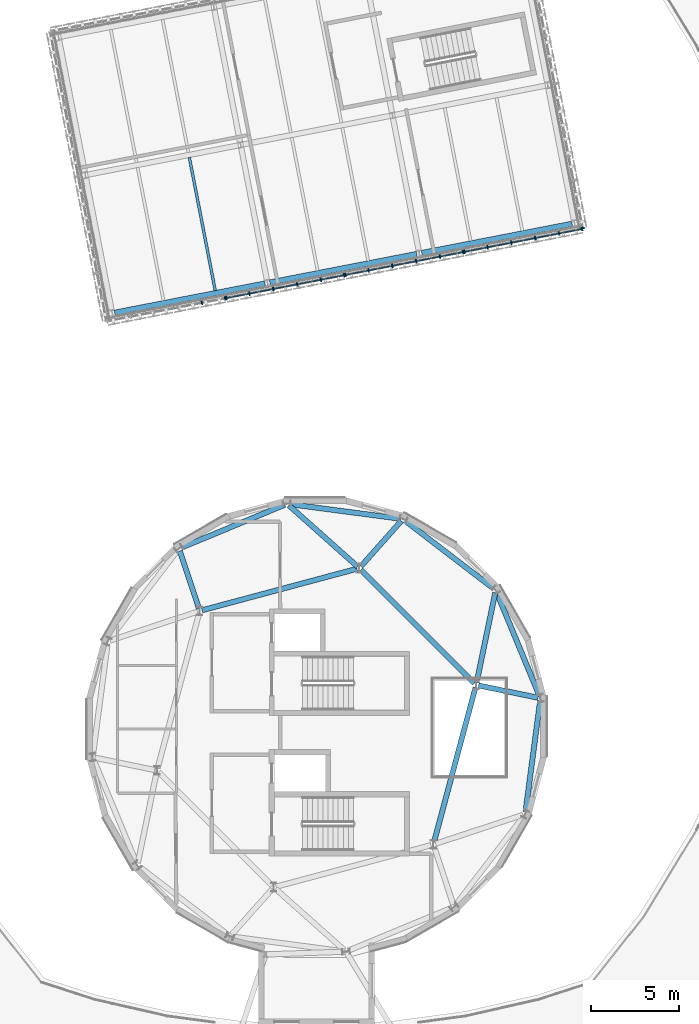
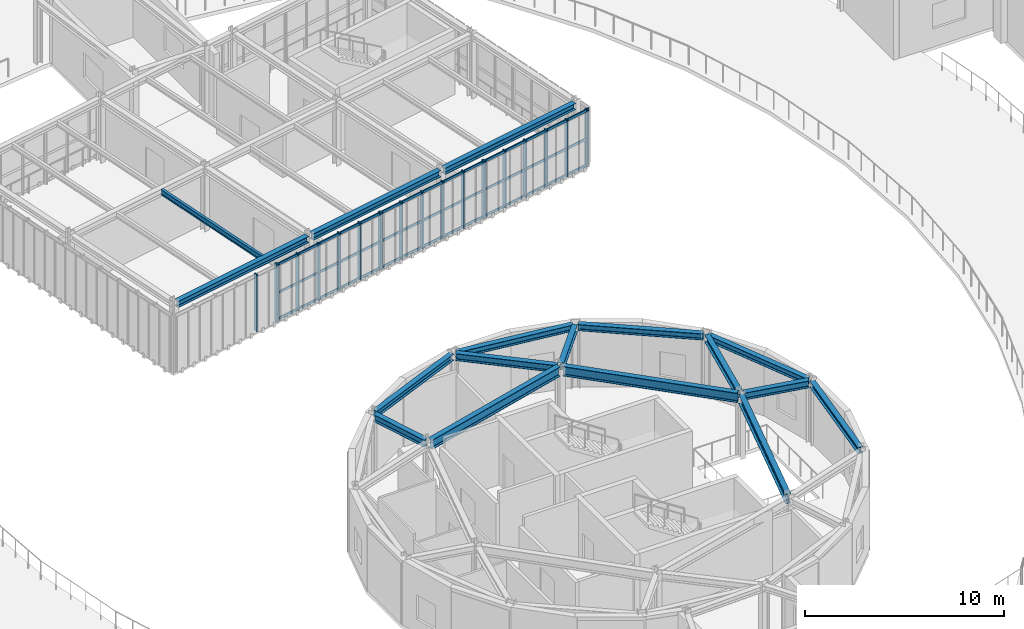
# One storey, part 19 of 59: 30 members, 17 beams, 5 elements without a shape of their own.
"""IFC4 building model written with IfcOpenShell, lengths in metres."""

from ifc_helpers import new_model, si_unit, direction, frame, origin, origin_2d, place, context, subcontext, project, spatial, rectangle, i_section, extrude, material, material_profile, profile_set, type_object, element, aggregate, save


model = new_model("IFC4")

# Units and contexts
model_context = context("Model", 3, precision=1e-05, world=origin(), true_north=direction((0.0, 1.0)))
body_context = subcontext(model_context, "Body", "Model", "MODEL_VIEW")
ifc_project = project(units=[si_unit("LENGTHUNIT", "METRE"), si_unit("AREAUNIT", "SQUARE_METRE"), si_unit("VOLUMEUNIT", "CUBIC_METRE"), si_unit("PLANEANGLEUNIT", "RADIAN"), si_unit("MASSUNIT", "GRAM", prefix="KILO")], contexts=[model_context])

# Site, building, storey
site_placement = place(None, origin())
site = spatial("IfcSite", under=ifc_project, at=site_placement, CompositionType="ELEMENT")
building_placement = place(site_placement, origin())
building = spatial("IfcBuilding", under=site, at=building_placement, Name="Varnklinge Art Gallery", CompositionType="ELEMENT")
storey_placement = place(building_placement, frame((0.0, 0.0, 9.52001953125)))
storey = spatial("IfcBuildingStorey", under=building, at=storey_placement, Name="L02", CompositionType="ELEMENT", Elevation=9.52001953125)

# Beams
ifc_material_1 = material(Name="Steel S355", Category="steel")
ifc_material_profile_1 = material_profile(ifc_material_1, i_section(OverallWidth=0.300048828125, OverallDepth=0.590087890625, WebThickness=0.012939453125, FlangeThickness=0.02490234375, FilletRadius=0.027099609375, at=origin_2d()), Name="HEA 600")
ifc_profile_set_1 = profile_set([ifc_material_profile_1], Name="Steel S355")
beam_type_1 = type_object("IfcBeamType", Name="BM-06", PredefinedType="BEAM", material=ifc_profile_set_1)
beam_1_placement = place(storey_placement, frame((84.480712890625, 41.031982421875, 3.6650390625), z_axis=(-0.707106781187, 0.707106781187, 0.0), x_axis=(-0.707106781187, -0.707106781187, 0.0)))
element("IfcBeam", 1, at=beam_1_placement, inside=storey, type_object=beam_type_1, Name="L02 BM-06 BM-V4D-L03-I1", PredefinedType="BEAM", context=body_context, shape_type="SweptSolid", body=[
    extrude(i_section(OverallWidth=0.300048828125, OverallDepth=0.590087890625, WebThickness=0.012939453125, FlangeThickness=0.02490234375, FilletRadius=0.027099609375, at=origin_2d()), origin(), (0.0, 0.0, 1.0), 9.119873046875),
])
for number, where, z_axis, x_axis, name in (
    (2, (77.797607421875, 47.54345703125, 3.6650390625), (-0.965928574877, -0.258808787016, 0.0), (0.258808787016, -0.965928574877, 0.0), "L02 BM-06 BM-V4D-L03-I2"),
    (3, (82.18310546875, 31.98828125, 3.6650390625), (0.258808787016, 0.965928574877, 0.0), (-0.965928574877, 0.258808787016, 0.0), "L02 BM-06 BM-V4D-L03-I6"),
):
    element("IfcBeam", number, at=place(storey_placement, frame(where, z_axis=z_axis, x_axis=x_axis)), inside=storey, type_object=beam_type_1, Name=name, PredefinedType="BEAM", context=body_context, shape_type="SweptSolid", body=[
        extrude(i_section(OverallWidth=0.300048828125, OverallDepth=0.590087890625, WebThickness=0.012939453125, FlangeThickness=0.02490234375, FilletRadius=0.027099609375, at=origin_2d()), origin(), (0.0, 0.0, 1.0), 9.1201171875),
    ])
ifc_material_2 = material(Name="Steel S355", Category="steel")
ifc_material_profile_2 = material_profile(ifc_material_2, i_section(OverallWidth=0.300048828125, OverallDepth=0.43994140625, WebThickness=0.011474609375, FlangeThickness=0.02099609375, FilletRadius=0.027099609375, at=origin_2d()), Name="HEA 450")
ifc_profile_set_2 = profile_set([ifc_material_profile_2], Name="Steel S355")
beam_type_2 = type_object("IfcBeamType", Name="BM-08", PredefinedType="BEAM", material=ifc_profile_set_2)
beam_2_placement = place(storey_placement, frame((84.716796875, 40.904541015625, 3.739990234375), z_axis=(0.979353549328, -0.202154953982, 0.0), x_axis=(0.202154953982, 0.979353549328, 0.0)))
element("IfcBeam", 4, at=beam_2_placement, inside=storey, type_object=beam_type_2, Name="L02 BM-08 BM-V4D-L03-R01", PredefinedType="BEAM", context=body_context, shape_type="SweptSolid", body=[
    extrude(i_section(OverallWidth=0.300048828125, OverallDepth=0.43994140625, WebThickness=0.011474609375, FlangeThickness=0.02099609375, FilletRadius=0.027099609375, at=origin_2d()), origin(), (0.0, 0.0, 1.0), 3.45751953125),
])
beam_3_placement = place(storey_placement, frame((84.608154296875, 41.070068359375, 3.739990234375), z_axis=(0.202556149381, 0.979270650202, 0.0), x_axis=(-0.979270650202, 0.202556149381, 0.0)))
element("IfcBeam", 5, at=beam_3_placement, inside=storey, type_object=beam_type_2, Name="L02 BM-08 BM-V4D-L03-R02", PredefinedType="BEAM", context=body_context, shape_type="SweptSolid", body=[
    extrude(i_section(OverallWidth=0.300048828125, OverallDepth=0.43994140625, WebThickness=0.011474609375, FlangeThickness=0.02099609375, FilletRadius=0.027099609375, at=origin_2d()), origin(), (0.0, 0.0, 1.0), 5.223876953125),
])
beam_4_placement = place(storey_placement, frame((78.02587890625, 47.684326171875, 3.739990234375), z_axis=(0.664780083084, 0.747039116201, 0.0), x_axis=(-0.747039116201, 0.664780083084, 0.0)))
element("IfcBeam", 6, at=beam_4_placement, inside=storey, type_object=beam_type_2, Name="L02 BM-08 BM-V4D-L03-R03", PredefinedType="BEAM", context=body_context, shape_type="SweptSolid", body=[
    extrude(i_section(OverallWidth=0.300048828125, OverallDepth=0.43994140625, WebThickness=0.011474609375, FlangeThickness=0.02099609375, FilletRadius=0.027099609375, at=origin_2d()), origin(), (0.0, 0.0, 1.0), 3.457763671875),
])
beam_5_placement = place(storey_placement, frame((77.828369140625, 47.6728515625, 3.739990234375), z_axis=(-0.746795307155, 0.665053959623, 0.0), x_axis=(-0.665053959623, -0.746795307155, 0.0)))
element("IfcBeam", 7, at=beam_5_placement, inside=storey, type_object=beam_type_2, Name="L02 BM-08 BM-V4D-L03-R04", PredefinedType="BEAM", context=body_context, shape_type="SweptSolid", body=[
    extrude(i_section(OverallWidth=0.300048828125, OverallDepth=0.43994140625, WebThickness=0.011474609375, FlangeThickness=0.02099609375, FilletRadius=0.027099609375, at=origin_2d()), origin(), (0.0, 0.0, 1.0), 5.223876953125),
])
beam_6_placement = place(storey_placement, frame((68.80908203125, 45.27978515625, 3.739990234375), z_axis=(-0.314574973389, 0.949232630137, 0.0), x_axis=(-0.949232630137, -0.314574973389, 0.0)))
element("IfcBeam", 8, at=beam_6_placement, inside=storey, type_object=beam_type_2, Name="L02 BM-08 BM-V4D-L03-R05", PredefinedType="BEAM", context=body_context, shape_type="SweptSolid", body=[
    extrude(i_section(OverallWidth=0.300048828125, OverallDepth=0.43994140625, WebThickness=0.011474609375, FlangeThickness=0.02099609375, FilletRadius=0.027099609375, at=origin_2d()), origin(), (0.0, 0.0, 1.0), 3.45751953125),
])
ifc_material_3 = material(Name="Steel S355", Category="steel")
ifc_material_profile_3 = material_profile(ifc_material_3, i_section(OverallWidth=0.159912109375, OverallDepth=0.330078125, WebThickness=0.007568359375, FlangeThickness=0.011474609375, FilletRadius=0.01806640625, at=origin_2d()), Name="IPE 330")
ifc_profile_set_3 = profile_set([ifc_material_profile_3], Name="Steel S355")
beam_type_3 = type_object("IfcBeamType", Name="JST-07", PredefinedType="JOIST", material=ifc_profile_set_3)
beam_7_placement = place(storey_placement, frame((69.735595703125, 63.372314453125, 3.794921875), z_axis=(-0.190785861445, 0.981631679946, 0.0), x_axis=(-0.981631679946, -0.190785861445, 0.0)))
element("IfcBeam", 9, at=beam_7_placement, inside=storey, type_object=beam_type_3, Name="L02 JST-07 JST-V4B-L03-0-0-2", PredefinedType="JOIST", context=body_context, shape_type="SweptSolid", body=[
    extrude(i_section(OverallWidth=0.159912109375, OverallDepth=0.330078125, WebThickness=0.007568359375, FlangeThickness=0.011474609375, FilletRadius=0.01806640625, at=origin_2d()), origin(), (0.0, 0.0, 1.0), 7.72021484375),
])

# Curtain wall, members
ifc_material_4 = material(Name="Anodised Aluminium", Category="aluminium")
curtain_wall_type_1 = type_object("IfcCurtainWallType", Name="CW-L03", PredefinedType="USERDEFINED", material=ifc_material_4)
curtain_wall_1_placement = place(storey_placement, origin())
curtain_wall_1 = element("IfcCurtainWall", 10, at=curtain_wall_1_placement, inside=storey, type_object=curtain_wall_type_1, Name="L02 Curtain Wall CW-V4B-L02-1-1-1", ObjectType="UNITISED CURTAIN WALL", PredefinedType="USERDEFINED")
ifc_material_5 = material(Name="Anodised Aluminium", Category="aluminium")
ifc_material_profile_4 = material_profile(ifc_material_5, rectangle(XDim=0.074951171875, YDim=0.219970703125, at=origin_2d()), Name="ALU 75x220")
ifc_profile_set_4 = profile_set([ifc_material_profile_4], Name="Anodised Aluminium")
member_type_1 = type_object("IfcMemberType", Name="MUL-02", PredefinedType="MULLION", material=ifc_profile_set_4)
member_1_placement = place(storey_placement, frame((68.974853515625, 62.674560546875, 0.0), z_axis=(0.0, 0.0, 1.0), x_axis=(0.981627183448, 0.190808995377, 0.0)))
member_1 = element("IfcMember", 11, at=member_1_placement, type_object=member_type_1, Name="CW-V4B-L02-1-1-1 Mullion 5", PredefinedType="MULLION", context=body_context, shape_type="SweptSolid", body=[
    extrude(rectangle(XDim=0.074951171875, YDim=0.219970703125, at=origin_2d()), origin(), (0.0, 0.0, 1.0), 3.510009765625),
])
member_2_placement = place(storey_placement, frame((70.292724609375, 62.9306640625, 0.0), z_axis=(0.0, 0.0, 1.0), x_axis=(0.981627183448, 0.190808995377, 0.0)))
member_2 = element("IfcMember", 12, at=member_2_placement, type_object=member_type_1, Name="CW-V4B-L02-1-1-1 Mullion 6", PredefinedType="MULLION", context=body_context, shape_type="SweptSolid", body=[
    extrude(rectangle(XDim=0.074951171875, YDim=0.219970703125, at=origin_2d()), origin(), (0.0, 0.0, 1.0), 3.510009765625),
])
aggregate(curtain_wall_1, [member_1, member_2])

curtain_wall_2_placement = place(storey_placement, origin())
curtain_wall_2 = element("IfcCurtainWall", 13, at=curtain_wall_2_placement, inside=storey, type_object=curtain_wall_type_1, Name="L02 Curtain Wall CW-V4B-L02-1-1-2", ObjectType="UNITISED CURTAIN WALL", PredefinedType="USERDEFINED")
member_3_placement = place(storey_placement, frame((70.3662109375, 62.945068359375, 0.0), z_axis=(0.0, 0.0, 1.0), x_axis=(0.981627183448, 0.190808995377, 0.0)))
member_3 = element("IfcMember", 14, at=member_3_placement, type_object=member_type_1, Name="CW-V4B-L02-1-1-2 Mullion 1", PredefinedType="MULLION", context=body_context, shape_type="SweptSolid", body=[
    extrude(rectangle(XDim=0.074951171875, YDim=0.219970703125, at=origin_2d()), origin(), (0.0, 0.0, 1.0), 3.510009765625),
])
member_4_placement = place(storey_placement, frame((71.68408203125, 63.201171875, 0.0), z_axis=(0.0, 0.0, 1.0), x_axis=(0.981627183448, 0.190808995377, 0.0)))
member_4 = element("IfcMember", 15, at=member_4_placement, type_object=member_type_1, Name="CW-V4B-L02-1-1-2 Mullion 2", PredefinedType="MULLION", context=body_context, shape_type="SweptSolid", body=[
    extrude(rectangle(XDim=0.074951171875, YDim=0.219970703125, at=origin_2d()), origin(), (0.0, 0.0, 1.0), 3.510009765625),
])
member_5_placement = place(storey_placement, frame((73.038818359375, 63.46435546875, 0.0), z_axis=(0.0, 0.0, 1.0), x_axis=(0.981627183448, 0.190808995377, 0.0)))
member_5 = element("IfcMember", 16, at=member_5_placement, type_object=member_type_1, Name="CW-V4B-L02-1-1-2 Mullion 3", PredefinedType="MULLION", context=body_context, shape_type="SweptSolid", body=[
    extrude(rectangle(XDim=0.074951171875, YDim=0.219970703125, at=origin_2d()), origin(), (0.0, 0.0, 1.0), 3.510009765625),
])
member_6_placement = place(storey_placement, frame((74.3935546875, 63.727783203125, 0.0), z_axis=(0.0, 0.0, 1.0), x_axis=(0.981627183448, 0.190808995377, 0.0)))
member_6 = element("IfcMember", 17, at=member_6_placement, type_object=member_type_1, Name="CW-V4B-L02-1-1-2 Mullion 4", PredefinedType="MULLION", context=body_context, shape_type="SweptSolid", body=[
    extrude(rectangle(XDim=0.074951171875, YDim=0.219970703125, at=origin_2d()), origin(), (0.0, 0.0, 1.0), 3.510009765625),
])
member_7_placement = place(storey_placement, frame((75.748046875, 63.9912109375, 0.0), z_axis=(0.0, 0.0, 1.0), x_axis=(0.981627183448, 0.190808995377, 0.0)))
member_7 = element("IfcMember", 18, at=member_7_placement, type_object=member_type_1, Name="CW-V4B-L02-1-1-2 Mullion 5", PredefinedType="MULLION", context=body_context, shape_type="SweptSolid", body=[
    extrude(rectangle(XDim=0.074951171875, YDim=0.219970703125, at=origin_2d()), origin(), (0.0, 0.0, 1.0), 3.510009765625),
])
member_8_placement = place(storey_placement, frame((77.06591796875, 64.247314453125, 0.0), z_axis=(0.0, 0.0, 1.0), x_axis=(0.981627183448, 0.190808995377, 0.0)))
member_8 = element("IfcMember", 19, at=member_8_placement, type_object=member_type_1, Name="CW-V4B-L02-1-1-2 Mullion 6", PredefinedType="MULLION", context=body_context, shape_type="SweptSolid", body=[
    extrude(rectangle(XDim=0.074951171875, YDim=0.219970703125, at=origin_2d()), origin(), (0.0, 0.0, 1.0), 3.510009765625),
])

curtain_wall_3_placement = place(storey_placement, origin())
curtain_wall_3 = element("IfcCurtainWall", 20, at=curtain_wall_3_placement, inside=storey, type_object=curtain_wall_type_1, Name="L02 Curtain Wall CW-V4B-L02-1-1-3", ObjectType="UNITISED CURTAIN WALL", PredefinedType="USERDEFINED")
member_9_placement = place(storey_placement, frame((77.1396484375, 64.26171875, 0.0), z_axis=(0.0, 0.0, 1.0), x_axis=(0.981627183448, 0.190808995377, 0.0)))
member_9 = element("IfcMember", 21, at=member_9_placement, type_object=member_type_1, Name="CW-V4B-L02-1-1-3 Mullion 1", PredefinedType="MULLION", context=body_context, shape_type="SweptSolid", body=[
    extrude(rectangle(XDim=0.074951171875, YDim=0.219970703125, at=origin_2d()), origin(), (0.0, 0.0, 1.0), 3.510009765625),
])
member_10_placement = place(storey_placement, frame((78.45751953125, 64.517578125, 0.0), z_axis=(0.0, 0.0, 1.0), x_axis=(0.981627183448, 0.190808995377, 0.0)))
member_10 = element("IfcMember", 22, at=member_10_placement, type_object=member_type_1, Name="CW-V4B-L02-1-1-3 Mullion 2", PredefinedType="MULLION", context=body_context, shape_type="SweptSolid", body=[
    extrude(rectangle(XDim=0.074951171875, YDim=0.219970703125, at=origin_2d()), origin(), (0.0, 0.0, 1.0), 3.510009765625),
])
member_11_placement = place(storey_placement, frame((79.81201171875, 64.781005859375, 0.0), z_axis=(0.0, 0.0, 1.0), x_axis=(0.981627183448, 0.190808995377, 0.0)))
member_11 = element("IfcMember", 23, at=member_11_placement, type_object=member_type_1, Name="CW-V4B-L02-1-1-3 Mullion 3", PredefinedType="MULLION", context=body_context, shape_type="SweptSolid", body=[
    extrude(rectangle(XDim=0.074951171875, YDim=0.219970703125, at=origin_2d()), origin(), (0.0, 0.0, 1.0), 3.510009765625),
])
member_12_placement = place(storey_placement, frame((81.166748046875, 65.044189453125, 0.0), z_axis=(0.0, 0.0, 1.0), x_axis=(0.981627183448, 0.190808995377, 0.0)))
member_12 = element("IfcMember", 24, at=member_12_placement, type_object=member_type_1, Name="CW-V4B-L02-1-1-3 Mullion 4", PredefinedType="MULLION", context=body_context, shape_type="SweptSolid", body=[
    extrude(rectangle(XDim=0.074951171875, YDim=0.219970703125, at=origin_2d()), origin(), (0.0, 0.0, 1.0), 3.510009765625),
])
member_13_placement = place(storey_placement, frame((82.521484375, 65.3076171875, 0.0), z_axis=(0.0, 0.0, 1.0), x_axis=(0.981627183448, 0.190808995377, 0.0)))
member_13 = element("IfcMember", 25, at=member_13_placement, type_object=member_type_1, Name="CW-V4B-L02-1-1-3 Mullion 5", PredefinedType="MULLION", context=body_context, shape_type="SweptSolid", body=[
    extrude(rectangle(XDim=0.074951171875, YDim=0.219970703125, at=origin_2d()), origin(), (0.0, 0.0, 1.0), 3.510009765625),
])
member_14_placement = place(storey_placement, frame((83.839111328125, 65.563720703125, 0.0), z_axis=(0.0, 0.0, 1.0), x_axis=(0.981627183448, 0.190808995377, 0.0)))
member_14 = element("IfcMember", 26, at=member_14_placement, type_object=member_type_1, Name="CW-V4B-L02-1-1-3 Mullion 6", PredefinedType="MULLION", context=body_context, shape_type="SweptSolid", body=[
    extrude(rectangle(XDim=0.074951171875, YDim=0.219970703125, at=origin_2d()), origin(), (0.0, 0.0, 1.0), 3.510009765625),
])

curtain_wall_4_placement = place(storey_placement, origin())
curtain_wall_4 = element("IfcCurtainWall", 27, at=curtain_wall_4_placement, inside=storey, type_object=curtain_wall_type_1, Name="L02 Curtain Wall CW-V4B-L02-1-1-4", ObjectType="UNITISED CURTAIN WALL", PredefinedType="USERDEFINED")
member_15_placement = place(storey_placement, frame((83.912841796875, 65.578125, 0.0), z_axis=(0.0, 0.0, 1.0), x_axis=(0.981627183448, 0.190808995377, 0.0)))
member_15 = element("IfcMember", 28, at=member_15_placement, type_object=member_type_1, Name="CW-V4B-L02-1-1-4 Mullion 1", PredefinedType="MULLION", context=body_context, shape_type="SweptSolid", body=[
    extrude(rectangle(XDim=0.074951171875, YDim=0.219970703125, at=origin_2d()), origin(), (0.0, 0.0, 1.0), 3.510009765625),
])
member_16_placement = place(storey_placement, frame((85.230712890625, 65.834228515625, 0.0), z_axis=(0.0, 0.0, 1.0), x_axis=(0.981627183448, 0.190808995377, 0.0)))
member_16 = element("IfcMember", 29, at=member_16_placement, type_object=member_type_1, Name="CW-V4B-L02-1-1-4 Mullion 2", PredefinedType="MULLION", context=body_context, shape_type="SweptSolid", body=[
    extrude(rectangle(XDim=0.074951171875, YDim=0.219970703125, at=origin_2d()), origin(), (0.0, 0.0, 1.0), 3.510009765625),
])
member_17_placement = place(storey_placement, frame((86.585205078125, 66.097412109375, 0.0), z_axis=(0.0, 0.0, 1.0), x_axis=(0.981627183448, 0.190808995377, 0.0)))
member_17 = element("IfcMember", 30, at=member_17_placement, type_object=member_type_1, Name="CW-V4B-L02-1-1-4 Mullion 3", PredefinedType="MULLION", context=body_context, shape_type="SweptSolid", body=[
    extrude(rectangle(XDim=0.074951171875, YDim=0.219970703125, at=origin_2d()), origin(), (0.0, 0.0, 1.0), 3.510009765625),
])
member_18_placement = place(storey_placement, frame((87.93994140625, 66.36083984375, 0.0), z_axis=(0.0, 0.0, 1.0), x_axis=(0.981627183448, 0.190808995377, 0.0)))
member_18 = element("IfcMember", 31, at=member_18_placement, type_object=member_type_1, Name="CW-V4B-L02-1-1-4 Mullion 4", PredefinedType="MULLION", context=body_context, shape_type="SweptSolid", body=[
    extrude(rectangle(XDim=0.074951171875, YDim=0.219970703125, at=origin_2d()), origin(), (0.0, 0.0, 1.0), 3.510009765625),
])
member_19_placement = place(storey_placement, frame((89.294677734375, 66.624267578125, 0.0), z_axis=(0.0, 0.0, 1.0), x_axis=(0.981627183448, 0.190808995377, 0.0)))
member_19 = element("IfcMember", 32, at=member_19_placement, type_object=member_type_1, Name="CW-V4B-L02-1-1-4 Mullion 5", PredefinedType="MULLION", context=body_context, shape_type="SweptSolid", body=[
    extrude(rectangle(XDim=0.074951171875, YDim=0.219970703125, at=origin_2d()), origin(), (0.0, 0.0, 1.0), 3.510009765625),
])
member_20_placement = place(storey_placement, frame((90.612548828125, 66.88037109375, 0.0), z_axis=(0.0, 0.0, 1.0), x_axis=(0.981627183448, 0.190808995377, 0.0)))
member_20 = element("IfcMember", 33, at=member_20_placement, type_object=member_type_1, Name="CW-V4B-L02-1-1-4 Mullion 6", PredefinedType="MULLION", context=body_context, shape_type="SweptSolid", body=[
    extrude(rectangle(XDim=0.074951171875, YDim=0.219970703125, at=origin_2d()), origin(), (0.0, 0.0, 1.0), 3.510009765625),
])

# Curtain wall, member
ifc_material_6 = material(Name="Anodised Aluminium", Category="aluminium")
curtain_wall_type_2 = type_object("IfcCurtainWallType", Name="CW-L07", PredefinedType="USERDEFINED", material=ifc_material_6)
curtain_wall_5_placement = place(storey_placement, origin())
curtain_wall_5 = element("IfcCurtainWall", 34, at=curtain_wall_5_placement, inside=storey, type_object=curtain_wall_type_2, Name="L02 Curtain Wall CW-V4B-L02-2-1-1", ObjectType="UNITISED CURTAIN WALL", PredefinedType="USERDEFINED")
member_21_placement = place(storey_placement, frame((90.64208984375, 66.92431640625, 0.0), z_axis=(0.0, 0.0, 1.0), x_axis=(-0.190808995377, 0.981627183448, 0.0)))
member_21 = element("IfcMember", 35, at=member_21_placement, type_object=member_type_1, Name="CW-V4B-L02-2-1-1 Mullion 1", PredefinedType="MULLION", context=body_context, shape_type="SweptSolid", body=[
    extrude(rectangle(XDim=0.074951171875, YDim=0.219970703125, at=origin_2d()), origin(), (0.0, 0.0, 1.0), 3.510009765625),
])
aggregate(curtain_wall_5, [member_21])

# Beams
ifc_material_7 = material(Name="Steel S355", Category="steel")
ifc_material_profile_5 = material_profile(ifc_material_7, i_section(OverallWidth=0.300048828125, OverallDepth=0.389892578125, WebThickness=0.010986328125, FlangeThickness=0.01904296875, FilletRadius=0.027099609375, at=origin_2d()), Name="HEA 400")
ifc_profile_set_5 = profile_set([ifc_material_profile_5], Name="Steel S355")
beam_type_4 = type_object("IfcBeamType", Name="SPB-03", PredefinedType="SPANDREL", material=ifc_profile_set_5)
for number, where, z_axis, x_axis, name in (
    (36, (88.1865234375, 40.306640625, 3.764892578125), (-0.382666510137, 0.923886541746, 0.0), (-0.923886541746, -0.382666510137, 0.0), "L02 SPB-03 BM-V4D-L03-P01"),
    (37, (85.58349609375, 46.40771484375, 3.764892578125), (-0.793344185287, 0.608773359857, 0.0), (-0.608773359857, -0.793344185287, 0.0), "L02 SPB-03 BM-V4D-L03-P02"),
):
    element("IfcBeam", number, at=place(storey_placement, frame(where, z_axis=z_axis, x_axis=x_axis)), inside=storey, type_object=beam_type_4, Name=name, PredefinedType="SPANDREL", context=body_context, shape_type="SweptSolid", body=[
        extrude(i_section(OverallWidth=0.300048828125, OverallDepth=0.389892578125, WebThickness=0.010986328125, FlangeThickness=0.01904296875, FilletRadius=0.027099609375, at=origin_2d()), origin(), (0.0, 0.0, 1.0), 6.37158203125),
    ])
beam_8_placement = place(storey_placement, frame((80.27880859375, 50.39013671875, 3.764892578125), z_axis=(-0.991448034575, 0.130502087099, 0.0), x_axis=(-0.130502087099, -0.991448034575, 0.0)))
element("IfcBeam", 38, at=beam_8_placement, inside=storey, type_object=beam_type_4, Name="L02 SPB-03 BM-V4D-L03-P03", PredefinedType="SPANDREL", context=body_context, shape_type="SweptSolid", body=[
    extrude(i_section(OverallWidth=0.300048828125, OverallDepth=0.389892578125, WebThickness=0.010986328125, FlangeThickness=0.01904296875, FilletRadius=0.027099609375, at=origin_2d()), origin(), (0.0, 0.0, 1.0), 6.371826171875),
])
beam_9_placement = place(storey_placement, frame((73.693359375, 51.1865234375, 3.764892578125), z_axis=(-0.923886541746, -0.382666510137, 0.0), x_axis=(0.382666510137, -0.923886541746, 0.0)))
element("IfcBeam", 39, at=beam_9_placement, inside=storey, type_object=beam_type_4, Name="L02 SPB-03 BM-V4D-L03-P04", PredefinedType="SPANDREL", context=body_context, shape_type="SweptSolid", body=[
    extrude(i_section(OverallWidth=0.300048828125, OverallDepth=0.389892578125, WebThickness=0.010986328125, FlangeThickness=0.01904296875, FilletRadius=0.027099609375, at=origin_2d()), origin(), (0.0, 0.0, 1.0), 6.37158203125),
])
beam_10_placement = place(storey_placement, frame((87.39013671875, 33.72119140625, 3.764892578125), z_axis=(0.130502087099, 0.991448034575, 0.0), x_axis=(-0.991448034575, 0.130502087099, 0.0)))
element("IfcBeam", 40, at=beam_10_placement, inside=storey, type_object=beam_type_4, Name="L02 SPB-03 BM-V4D-L03-P12", PredefinedType="SPANDREL", context=body_context, shape_type="SweptSolid", body=[
    extrude(i_section(OverallWidth=0.300048828125, OverallDepth=0.389892578125, WebThickness=0.010986328125, FlangeThickness=0.01904296875, FilletRadius=0.027099609375, at=origin_2d()), origin(), (0.0, 0.0, 1.0), 6.371826171875),
])
beam_11_placement = place(storey_placement, frame((64.010009765625, 62.11669921875, 3.764892578125), z_axis=(0.98162282025, 0.190831440713, 0.0), x_axis=(-0.190831440713, 0.98162282025, 0.0)))
element("IfcBeam", 41, at=beam_11_placement, inside=storey, type_object=beam_type_4, Name="L02 SPB-03 BM-V4B-L03-U0-0", PredefinedType="SPANDREL", context=body_context, shape_type="SweptSolid", body=[
    extrude(i_section(OverallWidth=0.300048828125, OverallDepth=0.389892578125, WebThickness=0.010986328125, FlangeThickness=0.01904296875, FilletRadius=0.027099609375, at=origin_2d()), origin(), (0.0, 0.0, 1.0), 8.719970703125),
])
beam_12_placement = place(storey_placement, frame((72.8447265625, 63.833984375, 3.764892578125), z_axis=(0.981626572932, 0.190812136181, 0.0), x_axis=(-0.190812136181, 0.981626572932, 0.0)))
element("IfcBeam", 42, at=beam_12_placement, inside=storey, type_object=beam_type_4, Name="L02 SPB-03 BM-V4B-L03-U0-1", PredefinedType="SPANDREL", context=body_context, shape_type="SweptSolid", body=[
    extrude(i_section(OverallWidth=0.300048828125, OverallDepth=0.389892578125, WebThickness=0.010986328125, FlangeThickness=0.01904296875, FilletRadius=0.027099609375, at=origin_2d()), origin(), (0.0, 0.0, 1.0), 8.52001953125),
])
beam_13_placement = place(storey_placement, frame((81.48291015625, 65.51318359375, 3.764892578125), z_axis=(0.981629083791, 0.190799218699, 0.0), x_axis=(-0.190799218699, 0.981629083791, 0.0)))
element("IfcBeam", 43, at=beam_13_placement, inside=storey, type_object=beam_type_4, Name="L02 SPB-03 BM-V4B-L03-U0-2", PredefinedType="SPANDREL", context=body_context, shape_type="SweptSolid", body=[
    extrude(i_section(OverallWidth=0.300048828125, OverallDepth=0.389892578125, WebThickness=0.010986328125, FlangeThickness=0.01904296875, FilletRadius=0.027099609375, at=origin_2d()), origin(), (0.0, 0.0, 1.0), 8.72021484375),
])

# Member
ifc_material_8 = material(Name="Anodised Aluminium", Category="aluminium")
ifc_material_profile_6 = material_profile(ifc_material_8, rectangle(XDim=0.06494140625, YDim=0.14990234375, at=origin_2d()), Name="ALU 65x150")
ifc_profile_set_6 = profile_set([ifc_material_profile_6], Name="Anodised Aluminium")
member_type_2 = type_object("IfcMemberType", Name="TRN-01", PredefinedType="USERDEFINED", material=ifc_profile_set_6)
member_22_placement = place(storey_placement, frame((70.3662109375, 62.945068359375, 0.074951171875), z_axis=(0.981628419203, 0.190802637855, 0.0), x_axis=(-0.190802637855, 0.981628419203, 0.0)))
member_22 = element("IfcMember", 44, at=member_22_placement, type_object=member_type_2, Name="CW-V4B-L02-1-1-2 Transom 1", ObjectType="TRANSOM", PredefinedType="USERDEFINED", context=body_context, shape_type="SweptSolid", body=[
    extrude(rectangle(XDim=0.06494140625, YDim=0.14990234375, at=origin_2d()), origin(), (0.0, 0.0, 1.0), 6.8251953125),
])

member_23_placement = place(storey_placement, frame((70.3662109375, 62.945068359375, 1.684814453125), z_axis=(0.981628419203, 0.190802637855, 0.0), x_axis=(-0.190802637855, 0.981628419203, 0.0)))
member_23 = element("IfcMember", 45, at=member_23_placement, type_object=member_type_2, Name="CW-V4B-L02-1-1-2 Transom 2", ObjectType="TRANSOM", PredefinedType="USERDEFINED", context=body_context, shape_type="SweptSolid", body=[
    extrude(rectangle(XDim=0.06494140625, YDim=0.14990234375, at=origin_2d()), origin(), (0.0, 0.0, 1.0), 6.8251953125),
])

member_24_placement = place(storey_placement, frame((70.3662109375, 62.945068359375, 3.43505859375), z_axis=(0.981628419203, 0.190802637855, 0.0), x_axis=(-0.190802637855, 0.981628419203, 0.0)))
member_24 = element("IfcMember", 46, at=member_24_placement, type_object=member_type_2, Name="CW-V4B-L02-1-1-2 Transom 3", ObjectType="TRANSOM", PredefinedType="USERDEFINED", context=body_context, shape_type="SweptSolid", body=[
    extrude(rectangle(XDim=0.06494140625, YDim=0.14990234375, at=origin_2d()), origin(), (0.0, 0.0, 1.0), 6.8251953125),
])

aggregate(curtain_wall_2, [member_3, member_4, member_5, member_6, member_7, member_8, member_22, member_23, member_24])

member_25_placement = place(storey_placement, frame((77.1396484375, 64.26171875, 0.074951171875), z_axis=(0.981633816585, 0.190774867674, 0.0), x_axis=(-0.190774867674, 0.981633816585, 0.0)))
member_25 = element("IfcMember", 47, at=member_25_placement, type_object=member_type_2, Name="CW-V4B-L02-1-1-3 Transom 1", ObjectType="TRANSOM", PredefinedType="USERDEFINED", context=body_context, shape_type="SweptSolid", body=[
    extrude(rectangle(XDim=0.06494140625, YDim=0.14990234375, at=origin_2d()), origin(), (0.0, 0.0, 1.0), 6.82470703125),
])

member_26_placement = place(storey_placement, frame((77.1396484375, 64.26171875, 1.684814453125), z_axis=(0.981633816585, 0.190774867674, 0.0), x_axis=(-0.190774867674, 0.981633816585, 0.0)))
member_26 = element("IfcMember", 48, at=member_26_placement, type_object=member_type_2, Name="CW-V4B-L02-1-1-3 Transom 2", ObjectType="TRANSOM", PredefinedType="USERDEFINED", context=body_context, shape_type="SweptSolid", body=[
    extrude(rectangle(XDim=0.06494140625, YDim=0.14990234375, at=origin_2d()), origin(), (0.0, 0.0, 1.0), 6.82470703125),
])

member_27_placement = place(storey_placement, frame((77.1396484375, 64.26171875, 3.43505859375), z_axis=(0.981633816585, 0.190774867674, 0.0), x_axis=(-0.190774867674, 0.981633816585, 0.0)))
member_27 = element("IfcMember", 49, at=member_27_placement, type_object=member_type_2, Name="CW-V4B-L02-1-1-3 Transom 3", ObjectType="TRANSOM", PredefinedType="USERDEFINED", context=body_context, shape_type="SweptSolid", body=[
    extrude(rectangle(XDim=0.06494140625, YDim=0.14990234375, at=origin_2d()), origin(), (0.0, 0.0, 1.0), 6.82470703125),
])

aggregate(curtain_wall_3, [member_9, member_10, member_11, member_12, member_13, member_14, member_25, member_26, member_27])

member_28_placement = place(storey_placement, frame((83.912841796875, 65.578125, 0.074951171875), z_axis=(0.981628419203, 0.190802637855, 0.0), x_axis=(-0.190802637855, 0.981628419203, 0.0)))
member_28 = element("IfcMember", 50, at=member_28_placement, type_object=member_type_2, Name="CW-V4B-L02-1-1-4 Transom 1", ObjectType="TRANSOM", PredefinedType="USERDEFINED", context=body_context, shape_type="SweptSolid", body=[
    extrude(rectangle(XDim=0.06494140625, YDim=0.14990234375, at=origin_2d()), origin(), (0.0, 0.0, 1.0), 6.8251953125),
])

member_29_placement = place(storey_placement, frame((83.912841796875, 65.578125, 1.684814453125), z_axis=(0.981628419203, 0.190802637855, 0.0), x_axis=(-0.190802637855, 0.981628419203, 0.0)))
member_29 = element("IfcMember", 51, at=member_29_placement, type_object=member_type_2, Name="CW-V4B-L02-1-1-4 Transom 2", ObjectType="TRANSOM", PredefinedType="USERDEFINED", context=body_context, shape_type="SweptSolid", body=[
    extrude(rectangle(XDim=0.06494140625, YDim=0.14990234375, at=origin_2d()), origin(), (0.0, 0.0, 1.0), 6.8251953125),
])

member_30_placement = place(storey_placement, frame((83.912841796875, 65.578125, 3.43505859375), z_axis=(0.981628419203, 0.190802637855, 0.0), x_axis=(-0.190802637855, 0.981628419203, 0.0)))
member_30 = element("IfcMember", 52, at=member_30_placement, type_object=member_type_2, Name="CW-V4B-L02-1-1-4 Transom 3", ObjectType="TRANSOM", PredefinedType="USERDEFINED", context=body_context, shape_type="SweptSolid", body=[
    extrude(rectangle(XDim=0.06494140625, YDim=0.14990234375, at=origin_2d()), origin(), (0.0, 0.0, 1.0), 6.8251953125),
])

aggregate(curtain_wall_4, [member_15, member_16, member_17, member_18, member_19, member_20, member_28, member_29, member_30])

save(model, "model.ifc")
